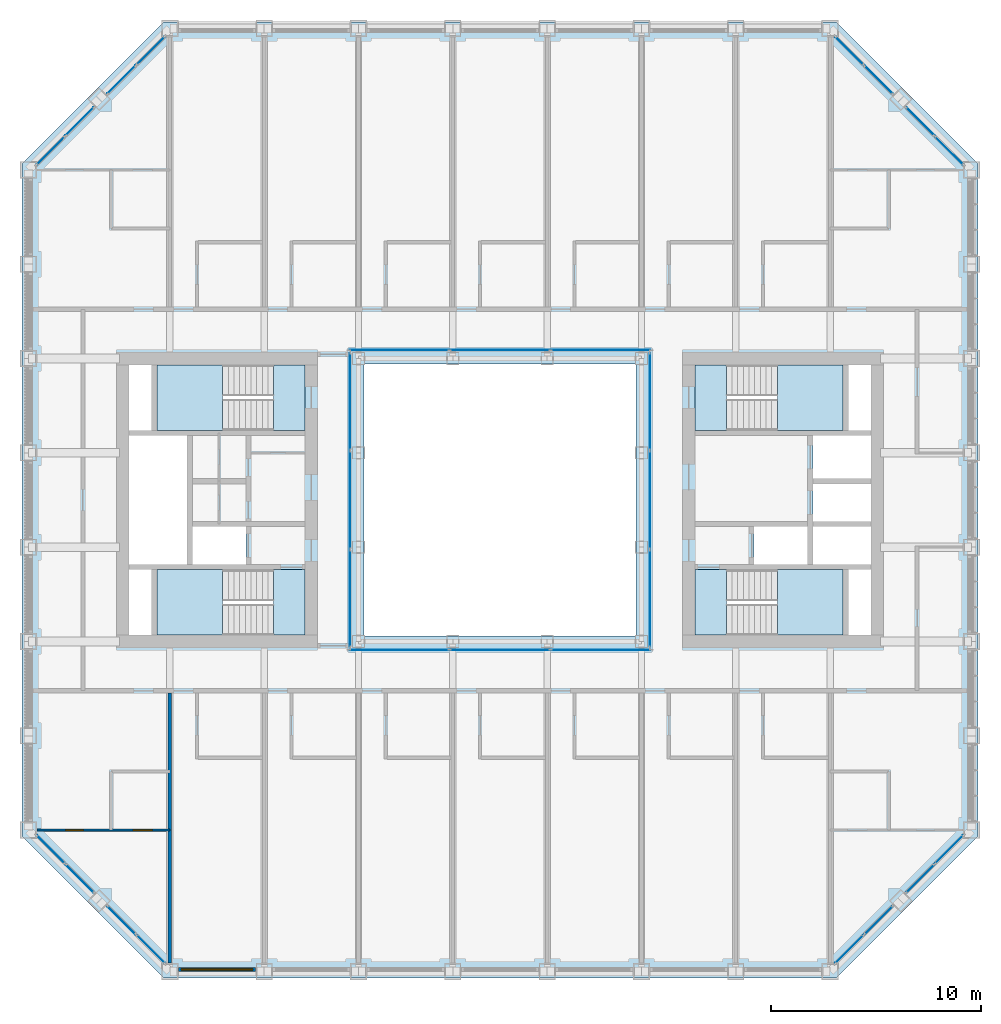
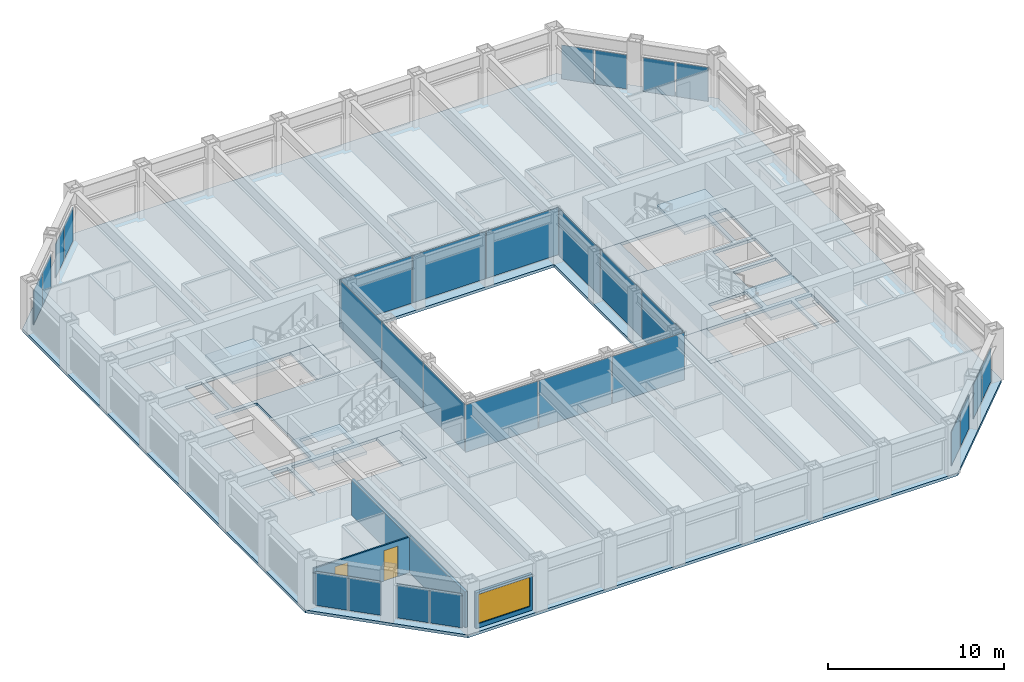
# One storey, part 9 of 18: 28 plates, 9 slabs, 3 walls, 2 doors, 1 window, 3 openings, 16 elements without a shape of their own.
"""IFC4 building model written with IfcOpenShell, lengths in metres."""

from ifc_helpers import new_model, si_unit, direction, frame, frame_2d, origin, origin_2d, place, context, subcontext, project, spatial, polyline, rectangle, outline, extrude, material, layer, layer_set, type_object, element, fill, aggregate, save


model = new_model("IFC4")

# Units and contexts
model_context = context("Model", 3, precision=1e-05, world=origin(), true_north=direction((0.0, 1.0)))
body_context = subcontext(model_context, "Body", "Model", "MODEL_VIEW")
ifc_project = project(units=[si_unit("LENGTHUNIT", "METRE"), si_unit("AREAUNIT", "SQUARE_METRE"), si_unit("VOLUMEUNIT", "CUBIC_METRE"), si_unit("PLANEANGLEUNIT", "RADIAN"), si_unit("MASSUNIT", "GRAM", prefix="KILO")], contexts=[model_context])

# Site, building, storey
site_placement = place(None, origin())
site = spatial("IfcSite", under=ifc_project, at=site_placement, CompositionType="ELEMENT")
building_placement = place(site_placement, origin())
building = spatial("IfcBuilding", under=site, at=building_placement, Name="Msasa Ring Tower", CompositionType="ELEMENT")
storey_placement = place(building_placement, frame((0.0, 0.0, 125.60009765625)))
storey = spatial("IfcBuildingStorey", under=building, at=storey_placement, Name="L32", CompositionType="ELEMENT", Elevation=125.60009765625)

# Curtain wall, plates
ifc_material_1 = material(Name="Aluminium curtain wall with clear glass", Category="aluminium")
curtain_wall_type_1 = type_object("IfcCurtainWallType", Name="CW-C CHAMFER CORNER CURTAIN WALL", PredefinedType="NOTDEFINED", material=ifc_material_1)
curtain_wall_1_placement = place(storey_placement, origin())
curtain_wall_1 = element("IfcCurtainWall", 1, at=curtain_wall_1_placement, inside=storey, type_object=curtain_wall_type_1, Name="Chamfer corner curtain wall SE L32", PredefinedType="NOTDEFINED")
ifc_material_2 = material(Name="Clear laminated insulating glass unit", Category="glass")
ifc_layer_1 = layer(ifc_material_2, 0.031982421875)
ifc_layer_set_1 = layer_set([ifc_layer_1], Name="CW-C GLASS PANEL 32")
plate_type_1 = type_object("IfcPlateType", Name="CW-C GLASS PANEL 32", PredefinedType="CURTAIN_PANEL", material=ifc_layer_set_1)
plate_1_placement = place(storey_placement, frame((16.677734375, -21.430908203125, 0.06494140625), z_axis=(0.0, 0.0, 1.0), x_axis=(0.707106781187, 0.707106781187, 0.0)))
plate_1 = element("IfcPlate", 2, at=plate_1_placement, type_object=plate_type_1, Name="CW-C panel 1.1", PredefinedType="CURTAIN_PANEL", context=body_context, shape_type="SweptSolid", body=[
    extrude(rectangle(XDim=1.884033203125, YDim=0.031982421875, at=origin_2d()), origin(), (0.0, 0.0, 1.0), 2.34912109375),
])
plate_2_placement = place(storey_placement, frame((18.055908203125, -20.052734375, 0.06494140625), z_axis=(0.0, 0.0, 1.0), x_axis=(0.707106781187, 0.707106781187, 0.0)))
plate_2 = element("IfcPlate", 3, at=plate_2_placement, type_object=plate_type_1, Name="CW-C panel 2.1", PredefinedType="CURTAIN_PANEL", context=body_context, shape_type="SweptSolid", body=[
    extrude(rectangle(XDim=1.884033203125, YDim=0.031982421875, at=origin_2d()), origin(), (0.0, 0.0, 1.0), 2.34912109375),
])
aggregate(curtain_wall_1, [plate_1, plate_2])

curtain_wall_2_placement = place(storey_placement, origin())
curtain_wall_2 = element("IfcCurtainWall", 4, at=curtain_wall_2_placement, inside=storey, type_object=curtain_wall_type_1, Name="Chamfer corner curtain wall SE L32", PredefinedType="NOTDEFINED")
plate_3_placement = place(storey_placement, frame((20.052734375, -18.055908203125, 0.06494140625), z_axis=(0.0, 0.0, 1.0), x_axis=(0.707106781187, 0.707106781187, 0.0)))
plate_3 = element("IfcPlate", 5, at=plate_3_placement, type_object=plate_type_1, Name="CW-C panel 1.1", PredefinedType="CURTAIN_PANEL", context=body_context, shape_type="SweptSolid", body=[
    extrude(rectangle(XDim=1.884033203125, YDim=0.031982421875, at=origin_2d()), origin(), (0.0, 0.0, 1.0), 2.34912109375),
])
plate_4_placement = place(storey_placement, frame((21.430908203125, -16.677734375, 0.06494140625), z_axis=(0.0, 0.0, 1.0), x_axis=(0.707106781187, 0.707106781187, 0.0)))
plate_4 = element("IfcPlate", 6, at=plate_4_placement, type_object=plate_type_1, Name="CW-C panel 2.1", PredefinedType="CURTAIN_PANEL", context=body_context, shape_type="SweptSolid", body=[
    extrude(rectangle(XDim=1.884033203125, YDim=0.031982421875, at=origin_2d()), origin(), (0.0, 0.0, 1.0), 2.34912109375),
])
aggregate(curtain_wall_2, [plate_3, plate_4])

curtain_wall_3_placement = place(storey_placement, origin())
curtain_wall_3 = element("IfcCurtainWall", 7, at=curtain_wall_3_placement, inside=storey, type_object=curtain_wall_type_1, Name="Chamfer corner curtain wall NE L32", PredefinedType="NOTDEFINED")
plate_5_placement = place(storey_placement, frame((18.055908203125, 20.052734375, 0.06494140625), z_axis=(0.0, 0.0, 1.0), x_axis=(-0.707106781187, 0.707106781187, 0.0)))
plate_5 = element("IfcPlate", 8, at=plate_5_placement, type_object=plate_type_1, Name="CW-C panel 1.1", PredefinedType="CURTAIN_PANEL", context=body_context, shape_type="SweptSolid", body=[
    extrude(rectangle(XDim=1.884033203125, YDim=0.031982421875, at=origin_2d()), origin(), (0.0, 0.0, 1.0), 2.34912109375),
])
plate_6_placement = place(storey_placement, frame((16.677734375, 21.430908203125, 0.06494140625), z_axis=(0.0, 0.0, 1.0), x_axis=(-0.707106781187, 0.707106781187, 0.0)))
plate_6 = element("IfcPlate", 9, at=plate_6_placement, type_object=plate_type_1, Name="CW-C panel 2.1", PredefinedType="CURTAIN_PANEL", context=body_context, shape_type="SweptSolid", body=[
    extrude(rectangle(XDim=1.884033203125, YDim=0.031982421875, at=origin_2d()), origin(), (0.0, 0.0, 1.0), 2.34912109375),
])
aggregate(curtain_wall_3, [plate_5, plate_6])

curtain_wall_4_placement = place(storey_placement, origin())
curtain_wall_4 = element("IfcCurtainWall", 10, at=curtain_wall_4_placement, inside=storey, type_object=curtain_wall_type_1, Name="Chamfer corner curtain wall NE L32", PredefinedType="NOTDEFINED")
plate_7_placement = place(storey_placement, frame((21.430908203125, 16.677734375, 0.06494140625), z_axis=(0.0, 0.0, 1.0), x_axis=(-0.707106781187, 0.707106781187, 0.0)))
plate_7 = element("IfcPlate", 11, at=plate_7_placement, type_object=plate_type_1, Name="CW-C panel 1.1", PredefinedType="CURTAIN_PANEL", context=body_context, shape_type="SweptSolid", body=[
    extrude(rectangle(XDim=1.884033203125, YDim=0.031982421875, at=origin_2d()), origin(), (0.0, 0.0, 1.0), 2.34912109375),
])
plate_8_placement = place(storey_placement, frame((20.052734375, 18.055908203125, 0.06494140625), z_axis=(0.0, 0.0, 1.0), x_axis=(-0.707106781187, 0.707106781187, 0.0)))
plate_8 = element("IfcPlate", 12, at=plate_8_placement, type_object=plate_type_1, Name="CW-C panel 2.1", PredefinedType="CURTAIN_PANEL", context=body_context, shape_type="SweptSolid", body=[
    extrude(rectangle(XDim=1.884033203125, YDim=0.031982421875, at=origin_2d()), origin(), (0.0, 0.0, 1.0), 2.34912109375),
])
aggregate(curtain_wall_4, [plate_7, plate_8])

curtain_wall_5_placement = place(storey_placement, origin())
curtain_wall_5 = element("IfcCurtainWall", 13, at=curtain_wall_5_placement, inside=storey, type_object=curtain_wall_type_1, Name="Chamfer corner curtain wall NW L32", PredefinedType="NOTDEFINED")
plate_9_placement = place(storey_placement, frame((-20.052734375, 18.055908203125, 0.06494140625), z_axis=(0.0, 0.0, 1.0), x_axis=(-0.707106781187, -0.707106781187, 0.0)))
plate_9 = element("IfcPlate", 14, at=plate_9_placement, type_object=plate_type_1, Name="CW-C panel 1.1", PredefinedType="CURTAIN_PANEL", context=body_context, shape_type="SweptSolid", body=[
    extrude(rectangle(XDim=1.884033203125, YDim=0.031982421875, at=origin_2d()), origin(), (0.0, 0.0, 1.0), 2.34912109375),
])
plate_10_placement = place(storey_placement, frame((-21.430908203125, 16.677734375, 0.06494140625), z_axis=(0.0, 0.0, 1.0), x_axis=(-0.707106781187, -0.707106781187, 0.0)))
plate_10 = element("IfcPlate", 15, at=plate_10_placement, type_object=plate_type_1, Name="CW-C panel 2.1", PredefinedType="CURTAIN_PANEL", context=body_context, shape_type="SweptSolid", body=[
    extrude(rectangle(XDim=1.884033203125, YDim=0.031982421875, at=origin_2d()), origin(), (0.0, 0.0, 1.0), 2.34912109375),
])
aggregate(curtain_wall_5, [plate_9, plate_10])

curtain_wall_6_placement = place(storey_placement, origin())
curtain_wall_6 = element("IfcCurtainWall", 16, at=curtain_wall_6_placement, inside=storey, type_object=curtain_wall_type_1, Name="Chamfer corner curtain wall NW L32", PredefinedType="NOTDEFINED")
plate_11_placement = place(storey_placement, frame((-16.677734375, 21.430908203125, 0.06494140625), z_axis=(0.0, 0.0, 1.0), x_axis=(-0.707106781187, -0.707106781187, 0.0)))
plate_11 = element("IfcPlate", 17, at=plate_11_placement, type_object=plate_type_1, Name="CW-C panel 1.1", PredefinedType="CURTAIN_PANEL", context=body_context, shape_type="SweptSolid", body=[
    extrude(rectangle(XDim=1.884033203125, YDim=0.031982421875, at=origin_2d()), origin(), (0.0, 0.0, 1.0), 2.34912109375),
])
plate_12_placement = place(storey_placement, frame((-18.055908203125, 20.052734375, 0.06494140625), z_axis=(0.0, 0.0, 1.0), x_axis=(-0.707106781187, -0.707106781187, 0.0)))
plate_12 = element("IfcPlate", 18, at=plate_12_placement, type_object=plate_type_1, Name="CW-C panel 2.1", PredefinedType="CURTAIN_PANEL", context=body_context, shape_type="SweptSolid", body=[
    extrude(rectangle(XDim=1.884033203125, YDim=0.031982421875, at=origin_2d()), origin(), (0.0, 0.0, 1.0), 2.34912109375),
])
aggregate(curtain_wall_6, [plate_11, plate_12])

curtain_wall_7_placement = place(storey_placement, origin())
curtain_wall_7 = element("IfcCurtainWall", 19, at=curtain_wall_7_placement, inside=storey, type_object=curtain_wall_type_1, Name="Chamfer corner curtain wall SW L32", PredefinedType="NOTDEFINED")
plate_13_placement = place(storey_placement, frame((-21.430908203125, -16.677734375, 0.06494140625), z_axis=(0.0, 0.0, 1.0), x_axis=(0.707106781187, -0.707106781187, 0.0)))
plate_13 = element("IfcPlate", 20, at=plate_13_placement, type_object=plate_type_1, Name="CW-C panel 1.1", PredefinedType="CURTAIN_PANEL", context=body_context, shape_type="SweptSolid", body=[
    extrude(rectangle(XDim=1.884033203125, YDim=0.031982421875, at=origin_2d()), origin(), (0.0, 0.0, 1.0), 2.34912109375),
])
plate_14_placement = place(storey_placement, frame((-20.052734375, -18.055908203125, 0.06494140625), z_axis=(0.0, 0.0, 1.0), x_axis=(0.707106781187, -0.707106781187, 0.0)))
plate_14 = element("IfcPlate", 21, at=plate_14_placement, type_object=plate_type_1, Name="CW-C panel 2.1", PredefinedType="CURTAIN_PANEL", context=body_context, shape_type="SweptSolid", body=[
    extrude(rectangle(XDim=1.884033203125, YDim=0.031982421875, at=origin_2d()), origin(), (0.0, 0.0, 1.0), 2.34912109375),
])
aggregate(curtain_wall_7, [plate_13, plate_14])

curtain_wall_8_placement = place(storey_placement, origin())
curtain_wall_8 = element("IfcCurtainWall", 22, at=curtain_wall_8_placement, inside=storey, type_object=curtain_wall_type_1, Name="Chamfer corner curtain wall SW L32", PredefinedType="NOTDEFINED")
plate_15_placement = place(storey_placement, frame((-18.055908203125, -20.052734375, 0.06494140625), z_axis=(0.0, 0.0, 1.0), x_axis=(0.707106781187, -0.707106781187, 0.0)))
plate_15 = element("IfcPlate", 23, at=plate_15_placement, type_object=plate_type_1, Name="CW-C panel 1.1", PredefinedType="CURTAIN_PANEL", context=body_context, shape_type="SweptSolid", body=[
    extrude(rectangle(XDim=1.884033203125, YDim=0.031982421875, at=origin_2d()), origin(), (0.0, 0.0, 1.0), 2.34912109375),
])
plate_16_placement = place(storey_placement, frame((-16.677734375, -21.430908203125, 0.06494140625), z_axis=(0.0, 0.0, 1.0), x_axis=(0.707106781187, -0.707106781187, 0.0)))
plate_16 = element("IfcPlate", 24, at=plate_16_placement, type_object=plate_type_1, Name="CW-C panel 2.1", PredefinedType="CURTAIN_PANEL", context=body_context, shape_type="SweptSolid", body=[
    extrude(rectangle(XDim=1.884033203125, YDim=0.031982421875, at=origin_2d()), origin(), (0.0, 0.0, 1.0), 2.34912109375),
])
aggregate(curtain_wall_8, [plate_15, plate_16])

ifc_material_3 = material(Name="Aluminium curtain wall with clear glass", Category="aluminium")
curtain_wall_type_2 = type_object("IfcCurtainWallType", Name="CW-W LIGHT WELL CURTAIN WALL", PredefinedType="NOTDEFINED", material=ifc_material_3)
curtain_wall_9_placement = place(storey_placement, origin())
curtain_wall_9 = element("IfcCurtainWall", 25, at=curtain_wall_9_placement, inside=storey, type_object=curtain_wall_type_2, Name="Light well curtain wall N L32", PredefinedType="NOTDEFINED")
ifc_material_4 = material(Name="Clear laminated insulating glass unit", Category="glass")
ifc_layer_2 = layer(ifc_material_4, 0.028076171875)
ifc_layer_set_2 = layer_set([ifc_layer_2], Name="CW-W GLASS PANEL 28")
plate_type_2 = type_object("IfcPlateType", Name="CW-W GLASS PANEL 28", PredefinedType="CURTAIN_PANEL", material=ifc_layer_set_2)
plate_17_placement = place(storey_placement, frame((-4.804931640625, 7.14990234375, 0.06005859375), z_axis=(0.0, 0.0, 1.0), x_axis=(1.0, 0.0, 0.0)))
plate_17 = element("IfcPlate", 26, at=plate_17_placement, type_object=plate_type_2, Name="CW-W panel 1.1", PredefinedType="CURTAIN_PANEL", context=body_context, shape_type="SweptSolid", body=[
    extrude(rectangle(XDim=4.72998046875, YDim=0.028076171875, at=origin_2d()), origin(), (0.0, 0.0, 1.0), 3.280029296875),
])
plate_18_placement = place(storey_placement, frame((0.0, 7.14990234375, 0.06005859375), z_axis=(0.0, 0.0, 1.0), x_axis=(1.0, 0.0, 0.0)))
plate_18 = element("IfcPlate", 27, at=plate_18_placement, type_object=plate_type_2, Name="CW-W panel 2.1", PredefinedType="CURTAIN_PANEL", context=body_context, shape_type="SweptSolid", body=[
    extrude(rectangle(XDim=4.760009765625, YDim=0.028076171875, at=origin_2d()), origin(), (0.0, 0.0, 1.0), 3.280029296875),
])
plate_19_placement = place(storey_placement, frame((4.804931640625, 7.14990234375, 0.06005859375), z_axis=(0.0, 0.0, 1.0), x_axis=(1.0, 0.0, 0.0)))
plate_19 = element("IfcPlate", 28, at=plate_19_placement, type_object=plate_type_2, Name="CW-W panel 3.1", PredefinedType="CURTAIN_PANEL", context=body_context, shape_type="SweptSolid", body=[
    extrude(rectangle(XDim=4.72998046875, YDim=0.028076171875, at=origin_2d()), origin(), (0.0, 0.0, 1.0), 3.280029296875),
])
aggregate(curtain_wall_9, [plate_17, plate_18, plate_19])

curtain_wall_10_placement = place(storey_placement, origin())
curtain_wall_10 = element("IfcCurtainWall", 29, at=curtain_wall_10_placement, inside=storey, type_object=curtain_wall_type_2, Name="Light well curtain wall S L32", PredefinedType="NOTDEFINED")
plate_20_placement = place(storey_placement, frame((-4.804931640625, -7.14990234375, 0.06005859375), z_axis=(0.0, 0.0, 1.0), x_axis=(1.0, 0.0, 0.0)))
plate_20 = element("IfcPlate", 30, at=plate_20_placement, type_object=plate_type_2, Name="CW-W panel 1.1", PredefinedType="CURTAIN_PANEL", context=body_context, shape_type="SweptSolid", body=[
    extrude(rectangle(XDim=4.72998046875, YDim=0.028076171875, at=origin_2d()), origin(), (0.0, 0.0, 1.0), 3.280029296875),
])
plate_21_placement = place(storey_placement, frame((0.0, -7.14990234375, 0.06005859375), z_axis=(0.0, 0.0, 1.0), x_axis=(1.0, 0.0, 0.0)))
plate_21 = element("IfcPlate", 31, at=plate_21_placement, type_object=plate_type_2, Name="CW-W panel 2.1", PredefinedType="CURTAIN_PANEL", context=body_context, shape_type="SweptSolid", body=[
    extrude(rectangle(XDim=4.760009765625, YDim=0.028076171875, at=origin_2d()), origin(), (0.0, 0.0, 1.0), 3.280029296875),
])
plate_22_placement = place(storey_placement, frame((4.804931640625, -7.14990234375, 0.06005859375), z_axis=(0.0, 0.0, 1.0), x_axis=(1.0, 0.0, 0.0)))
plate_22 = element("IfcPlate", 32, at=plate_22_placement, type_object=plate_type_2, Name="CW-W panel 3.1", PredefinedType="CURTAIN_PANEL", context=body_context, shape_type="SweptSolid", body=[
    extrude(rectangle(XDim=4.72998046875, YDim=0.028076171875, at=origin_2d()), origin(), (0.0, 0.0, 1.0), 3.280029296875),
])
aggregate(curtain_wall_10, [plate_20, plate_21, plate_22])

curtain_wall_11_placement = place(storey_placement, origin())
curtain_wall_11 = element("IfcCurtainWall", 33, at=curtain_wall_11_placement, inside=storey, type_object=curtain_wall_type_2, Name="Light well curtain wall E L32", PredefinedType="NOTDEFINED")
plate_23_placement = place(storey_placement, frame((7.14990234375, -4.6982421875, 0.06005859375), z_axis=(0.0, 0.0, 1.0), x_axis=(0.0, 1.0, 0.0)))
plate_23 = element("IfcPlate", 34, at=plate_23_placement, type_object=plate_type_2, Name="CW-W panel 1.1", PredefinedType="CURTAIN_PANEL", context=body_context, shape_type="SweptSolid", body=[
    extrude(rectangle(XDim=4.623291015625, YDim=0.028076171875, at=origin_2d()), origin(), (0.0, 0.0, 1.0), 3.280029296875),
])
plate_24_placement = place(storey_placement, frame((7.14990234375, 0.0, 0.06005859375), z_axis=(0.0, 0.0, 1.0), x_axis=(0.0, 1.0, 0.0)))
plate_24 = element("IfcPlate", 35, at=plate_24_placement, type_object=plate_type_2, Name="CW-W panel 2.1", PredefinedType="CURTAIN_PANEL", context=body_context, shape_type="SweptSolid", body=[
    extrude(rectangle(XDim=4.6533203125, YDim=0.028076171875, at=origin_2d()), origin(), (0.0, 0.0, 1.0), 3.280029296875),
])
plate_25_placement = place(storey_placement, frame((7.14990234375, 4.6982421875, 0.06005859375), z_axis=(0.0, 0.0, 1.0), x_axis=(0.0, 1.0, 0.0)))
plate_25 = element("IfcPlate", 36, at=plate_25_placement, type_object=plate_type_2, Name="CW-W panel 3.1", PredefinedType="CURTAIN_PANEL", context=body_context, shape_type="SweptSolid", body=[
    extrude(rectangle(XDim=4.623291015625, YDim=0.028076171875, at=origin_2d()), origin(), (0.0, 0.0, 1.0), 3.280029296875),
])
aggregate(curtain_wall_11, [plate_23, plate_24, plate_25])

curtain_wall_12_placement = place(storey_placement, origin())
curtain_wall_12 = element("IfcCurtainWall", 37, at=curtain_wall_12_placement, inside=storey, type_object=curtain_wall_type_2, Name="Light well curtain wall W L32", PredefinedType="NOTDEFINED")
plate_26_placement = place(storey_placement, frame((-7.14990234375, -4.6982421875, 0.06005859375), z_axis=(0.0, 0.0, 1.0), x_axis=(0.0, 1.0, 0.0)))
plate_26 = element("IfcPlate", 38, at=plate_26_placement, type_object=plate_type_2, Name="CW-W panel 1.1", PredefinedType="CURTAIN_PANEL", context=body_context, shape_type="SweptSolid", body=[
    extrude(rectangle(XDim=4.623291015625, YDim=0.028076171875, at=origin_2d()), origin(), (0.0, 0.0, 1.0), 3.280029296875),
])
plate_27_placement = place(storey_placement, frame((-7.14990234375, 0.0, 0.06005859375), z_axis=(0.0, 0.0, 1.0), x_axis=(0.0, 1.0, 0.0)))
plate_27 = element("IfcPlate", 39, at=plate_27_placement, type_object=plate_type_2, Name="CW-W panel 2.1", PredefinedType="CURTAIN_PANEL", context=body_context, shape_type="SweptSolid", body=[
    extrude(rectangle(XDim=4.6533203125, YDim=0.028076171875, at=origin_2d()), origin(), (0.0, 0.0, 1.0), 3.280029296875),
])
plate_28_placement = place(storey_placement, frame((-7.14990234375, 4.6982421875, 0.06005859375), z_axis=(0.0, 0.0, 1.0), x_axis=(0.0, 1.0, 0.0)))
plate_28 = element("IfcPlate", 40, at=plate_28_placement, type_object=plate_type_2, Name="CW-W panel 3.1", PredefinedType="CURTAIN_PANEL", context=body_context, shape_type="SweptSolid", body=[
    extrude(rectangle(XDim=4.623291015625, YDim=0.028076171875, at=origin_2d()), origin(), (0.0, 0.0, 1.0), 3.280029296875),
])
aggregate(curtain_wall_12, [plate_26, plate_27, plate_28])

# Stair, slabs
ifc_material_5 = material(Name="Concrete C40/50", Category="concrete")
stair_type = type_object("IfcStairType", Name="STC CORE STAIR 20 RISERS 180", PredefinedType="HALF_TURN_STAIR", material=ifc_material_5)
stair_1_placement = place(storey_placement, origin())
stair_1 = element("IfcStair", 41, at=stair_1_placement, inside=storey, type_object=stair_type, Name="Core stair SEA L32", PredefinedType="HALF_TURN_STAIR")
ifc_material_6 = material(Name="Concrete C40/50", Category="concrete")
ifc_layer_3 = layer(ifc_material_6, 0.199951171875)
ifc_layer_set_3 = layer_set([ifc_layer_3], Name="LD1 CORE STAIR LANDING 200")
slab_type_1 = type_object("IfcSlabType", Name="LD1 CORE STAIR LANDING 200", PredefinedType="LANDING", material=ifc_layer_set_3)
slab_1_placement = place(storey_placement, frame((0.0, 0.0, -0.2001953125)))
slab_1 = element("IfcSlab", 42, at=slab_1_placement, type_object=slab_type_1, Name="SEA landing 1", PredefinedType="LANDING", context=body_context, shape_type="SweptSolid", body=[
    extrude(outline(polyline([(9.300048828125, -6.449951171875), (10.800048828125, -6.449951171875), (10.800048828125, -3.324951171875), (9.300048828125, -3.324951171875), (9.300048828125, -6.449951171875)])), origin(), (0.0, 0.0, 1.0), 0.2001953125),
])
slab_2_placement = place(storey_placement, frame((0.0, 0.0, 1.599853515625)))
slab_2 = element("IfcSlab", 43, at=slab_2_placement, type_object=slab_type_1, Name="SEA landing 2", PredefinedType="LANDING", context=body_context, shape_type="SweptSolid", body=[
    extrude(outline(polyline([(13.22998046875, -6.449951171875), (16.375, -6.449951171875), (16.375, -3.324951171875), (13.22998046875, -3.324951171875), (13.22998046875, -6.449951171875)])), origin(), (0.0, 0.0, 1.0), 0.199951171875),
])
aggregate(stair_1, [slab_1, slab_2])

stair_2_placement = place(storey_placement, origin())
stair_2 = element("IfcStair", 44, at=stair_2_placement, inside=storey, type_object=stair_type, Name="Core stair SEB L32", PredefinedType="HALF_TURN_STAIR")
slab_3_placement = place(storey_placement, frame((0.0, 0.0, -0.2001953125)))
slab_3 = element("IfcSlab", 45, at=slab_3_placement, type_object=slab_type_1, Name="SEB landing 1", PredefinedType="LANDING", context=body_context, shape_type="SweptSolid", body=[
    extrude(outline(polyline([(9.300048828125, 3.324951171875), (10.800048828125, 3.324951171875), (10.800048828125, 6.449951171875), (9.300048828125, 6.449951171875), (9.300048828125, 3.324951171875)])), origin(), (0.0, 0.0, 1.0), 0.2001953125),
])
slab_4_placement = place(storey_placement, frame((0.0, 0.0, 1.599853515625)))
slab_4 = element("IfcSlab", 46, at=slab_4_placement, type_object=slab_type_1, Name="SEB landing 2", PredefinedType="LANDING", context=body_context, shape_type="SweptSolid", body=[
    extrude(outline(polyline([(13.22998046875, 3.324951171875), (16.375, 3.324951171875), (16.375, 6.449951171875), (13.22998046875, 6.449951171875), (13.22998046875, 3.324951171875)])), origin(), (0.0, 0.0, 1.0), 0.199951171875),
])
aggregate(stair_2, [slab_3, slab_4])

stair_3_placement = place(storey_placement, origin())
stair_3 = element("IfcStair", 47, at=stair_3_placement, inside=storey, type_object=stair_type, Name="Core stair SWA L32", PredefinedType="HALF_TURN_STAIR")
slab_5_placement = place(storey_placement, frame((0.0, 0.0, -0.2001953125)))
slab_5 = element("IfcSlab", 48, at=slab_5_placement, type_object=slab_type_1, Name="SWA landing 1", PredefinedType="LANDING", context=body_context, shape_type="SweptSolid", body=[
    extrude(outline(polyline([(-10.800048828125, -6.449951171875), (-9.300048828125, -6.449951171875), (-9.300048828125, -3.324951171875), (-10.800048828125, -3.324951171875), (-10.800048828125, -6.449951171875)])), origin(), (0.0, 0.0, 1.0), 0.2001953125),
])
slab_6_placement = place(storey_placement, frame((0.0, 0.0, 1.599853515625)))
slab_6 = element("IfcSlab", 49, at=slab_6_placement, type_object=slab_type_1, Name="SWA landing 2", PredefinedType="LANDING", context=body_context, shape_type="SweptSolid", body=[
    extrude(outline(polyline([(-16.375, -6.449951171875), (-13.22998046875, -6.449951171875), (-13.22998046875, -3.324951171875), (-16.375, -3.324951171875), (-16.375, -6.449951171875)])), origin(), (0.0, 0.0, 1.0), 0.199951171875),
])
aggregate(stair_3, [slab_5, slab_6])

stair_4_placement = place(storey_placement, origin())
stair_4 = element("IfcStair", 50, at=stair_4_placement, inside=storey, type_object=stair_type, Name="Core stair SWB L32", PredefinedType="HALF_TURN_STAIR")
slab_7_placement = place(storey_placement, frame((0.0, 0.0, -0.2001953125)))
slab_7 = element("IfcSlab", 51, at=slab_7_placement, type_object=slab_type_1, Name="SWB landing 1", PredefinedType="LANDING", context=body_context, shape_type="SweptSolid", body=[
    extrude(outline(polyline([(-10.800048828125, 3.324951171875), (-9.300048828125, 3.324951171875), (-9.300048828125, 6.449951171875), (-10.800048828125, 6.449951171875), (-10.800048828125, 3.324951171875)])), origin(), (0.0, 0.0, 1.0), 0.2001953125),
])
slab_8_placement = place(storey_placement, frame((0.0, 0.0, 1.599853515625)))
slab_8 = element("IfcSlab", 52, at=slab_8_placement, type_object=slab_type_1, Name="SWB landing 2", PredefinedType="LANDING", context=body_context, shape_type="SweptSolid", body=[
    extrude(outline(polyline([(-16.375, 3.324951171875), (-13.22998046875, 3.324951171875), (-13.22998046875, 6.449951171875), (-16.375, 6.449951171875), (-16.375, 3.324951171875)])), origin(), (0.0, 0.0, 1.0), 0.199951171875),
])
aggregate(stair_4, [slab_7, slab_8])

# Slab
ifc_material_7 = material(Name="Concrete C40/50", Category="concrete")
ifc_layer_4 = layer(ifc_material_7, 0.199951171875)
ifc_layer_set_4 = layer_set([ifc_layer_4], Name="S6 GUEST FLOOR 200")
slab_type_2 = type_object("IfcSlabType", Name="S6 GUEST FLOOR 200", PredefinedType="FLOOR", material=ifc_layer_set_4)
slab_9_placement = place(storey_placement, frame((0.0, 0.0, -0.2001953125)))
element("IfcSlab", 53, at=slab_9_placement, inside=storey, type_object=slab_type_2, Name="Floor slab L32", PredefinedType="FLOOR", context=body_context, shape_type="SweptSolid", body=[
    extrude(outline(polyline([(-16.050048828125, -22.800048828125), (16.050048828125, -22.800048828125), (22.800048828125, -16.050048828125), (22.800048828125, 16.050048828125), (16.050048828125, 22.800048828125), (-16.050048828125, 22.800048828125), (-22.800048828125, 16.050048828125), (-22.800048828125, -16.050048828125), (-16.050048828125, -22.800048828125)]), holes=[polyline([(-6.5, -6.5), (6.5, -6.5), (6.5, 6.5), (-6.5, 6.5), (-6.5, -6.5)]), polyline([(9.300048828125, -6.449951171875), (16.375, -6.449951171875), (16.375, -3.324951171875), (9.300048828125, -3.324951171875), (9.300048828125, -6.449951171875)]), polyline([(9.300048828125, 3.324951171875), (16.375, 3.324951171875), (16.375, 6.449951171875), (9.300048828125, 6.449951171875), (9.300048828125, 3.324951171875)]), polyline([(12.125, -3.074951171875), (14.675048828125, -3.074951171875), (14.675048828125, -1.27490234375), (12.125, -1.27490234375), (12.125, -3.074951171875)]), polyline([(16.625, -6.449951171875), (17.699951171875, -6.449951171875), (17.699951171875, -3.324951171875), (16.625, -3.324951171875), (16.625, -6.449951171875)]), polyline([(16.625, 3.324951171875), (17.699951171875, 3.324951171875), (17.699951171875, 6.449951171875), (16.625, 6.449951171875), (16.625, 3.324951171875)]), polyline([(14.925048828125, -3.074951171875), (17.699951171875, -3.074951171875), (17.699951171875, -1.27490234375), (14.925048828125, -1.27490234375), (14.925048828125, -3.074951171875)]), polyline([(14.925048828125, -1.02490234375), (17.699951171875, -1.02490234375), (17.699951171875, 0.77490234375), (14.925048828125, 0.77490234375), (14.925048828125, -1.02490234375)]), polyline([(14.925048828125, 1.02490234375), (17.699951171875, 1.02490234375), (17.699951171875, 3.074951171875), (14.925048828125, 3.074951171875), (14.925048828125, 1.02490234375)]), polyline([(-16.375, -6.449951171875), (-9.300048828125, -6.449951171875), (-9.300048828125, -3.324951171875), (-16.375, -3.324951171875), (-16.375, -6.449951171875)]), polyline([(-16.375, 3.324951171875), (-9.300048828125, 3.324951171875), (-9.300048828125, 6.449951171875), (-16.375, 6.449951171875), (-16.375, 3.324951171875)]), polyline([(-14.675048828125, -3.074951171875), (-12.125, -3.074951171875), (-12.125, -1.27490234375), (-14.675048828125, -1.27490234375), (-14.675048828125, -3.074951171875)]), polyline([(-17.699951171875, -6.449951171875), (-16.625, -6.449951171875), (-16.625, -3.324951171875), (-17.699951171875, -3.324951171875), (-17.699951171875, -6.449951171875)]), polyline([(-17.699951171875, 3.324951171875), (-16.625, 3.324951171875), (-16.625, 6.449951171875), (-17.699951171875, 6.449951171875), (-17.699951171875, 3.324951171875)]), polyline([(-17.699951171875, -3.074951171875), (-14.925048828125, -3.074951171875), (-14.925048828125, 3.074951171875), (-17.699951171875, 3.074951171875), (-17.699951171875, -3.074951171875)])]), origin(), (0.0, 0.0, 1.0), 0.2001953125),
])

# Wall, opening, window
ifc_material_8 = material(Name="Terracotta rainscreen on blockwork", Category="masonry")
ifc_layer_5 = layer(ifc_material_8, 0.199951171875)
ifc_layer_set_5 = layer_set([ifc_layer_5], Name="FW1 TERRACOTTA-LINED INFILL BAY WALL 200")
wall_type_1 = type_object("IfcWallType", Name="FW1 TERRACOTTA-LINED INFILL BAY WALL 200", PredefinedType="SOLIDWALL", material=ifc_layer_set_5)
wall_1_placement = place(storey_placement, frame((-15.344970703125, -22.39990234375, 0.0), z_axis=(0.0, 0.0, 1.0), x_axis=(1.0, 0.0, 0.0)))
wall_1 = element("IfcWall", 54, at=wall_1_placement, inside=storey, type_object=wall_type_1, Name="Infill bay wall S L32 00", PredefinedType="SOLIDWALL", context=body_context, shape_type="SweptSolid", body=[
    extrude(rectangle(XDim=3.68994140625, YDim=0.199951171875, at=frame_2d((1.844970703125, 0.0))), origin(), (0.0, 0.0, 1.0), 2.47900390625),
])
opening_1_placement = place(wall_1_placement, frame((0.14501953125, 0.0, 0.300048828125)))
opening_1 = element("IfcOpeningElement", 55, at=opening_1_placement, cuts=wall_1, Name="Opening WN2", PredefinedType="OPENING", context=body_context, shape_type="SweptSolid", body=[
    extrude(rectangle(XDim=3.39990234375, YDim=2.029052734375, at=frame_2d((1.699951171875, 1.0146484375))), frame((0.0, 0.10986328125, 0.0), z_axis=(0.0, -1.0, 0.0), x_axis=(1.0, 0.0, 0.0)), (0.0, 0.0, 1.0), 0.219970703125),
])
ifc_material_9 = material(Name="Aluminium frame with clear glass", Category="aluminium")
window_type = type_object("IfcWindowType", Name="WN2 GUEST ROOM WINDOW 3400x2029", PartitioningType="SINGLE_PANEL", PredefinedType="WINDOW", material=ifc_material_9)
window_placement = place(opening_1_placement, origin())
window = element("IfcWindow", 56, at=window_placement, inside=storey, type_object=window_type, Name="Window S L32 00", OverallHeight=2.029052734375, OverallWidth=3.39990234375, PartitioningType="SINGLE_PANEL", PredefinedType="WINDOW", context=body_context, shape_type="SweptSolid", body=[
    extrude(rectangle(XDim=3.39990234375, YDim=2.029052734375, at=frame_2d((1.699951171875, 1.0146484375))), frame((0.0, 0.030029296875, 0.0), z_axis=(0.0, -1.0, 0.0), x_axis=(1.0, 0.0, 0.0)), (0.0, 0.0, 1.0), 0.06005859375),
])
fill(opening_1, window)

# Wall, openings, doors
ifc_material_10 = material(Name="Gypsum board on steel studs", Category="steel")
ifc_layer_6 = layer(ifc_material_10, 0.10009765625)
ifc_layer_set_6 = layer_set([ifc_layer_6], Name="PT2 STUD PARTITION 100")
wall_type_2 = type_object("IfcWallType", Name="PT2 STUD PARTITION 100", PredefinedType="PARTITIONING", material=ifc_layer_set_6)
wall_2_placement = place(storey_placement, frame((-22.10009765625, -15.75, 0.0), z_axis=(0.0, 0.0, 1.0), x_axis=(1.0, 0.0, 0.0)))
wall_2 = element("IfcWall", 57, at=wall_2_placement, inside=storey, type_object=wall_type_2, Name="Partition L32-CSSWX", PredefinedType="PARTITIONING", context=body_context, shape_type="SweptSolid", body=[
    extrude(rectangle(XDim=6.35009765625, YDim=0.10009765625, at=frame_2d((3.175048828125, 0.0))), origin(), (0.0, 0.0, 1.0), 2.473388671875),
])
opening_2_placement = place(wall_2_placement, frame((1.375, 0.0, 0.0)))
opening_2 = element("IfcOpeningElement", 58, at=opening_2_placement, cuts=wall_2, Name="Opening HA-055", PredefinedType="OPENING", context=body_context, shape_type="SweptSolid", body=[
    extrude(rectangle(XDim=0.85009765625, YDim=2.10009765625, at=frame_2d((0.425048828125, 1.050048828125))), frame((0.0, 0.06005859375, 0.0), z_axis=(0.0, -1.0, 0.0), x_axis=(1.0, 0.0, 0.0)), (0.0, 0.0, 1.0), 0.1201171875),
])
opening_3_placement = place(wall_2_placement, frame((4.60009765625, 0.0, 0.0)))
opening_3 = element("IfcOpeningElement", 59, at=opening_3_placement, cuts=wall_2, Name="Opening HA-056", PredefinedType="OPENING", context=body_context, shape_type="SweptSolid", body=[
    extrude(rectangle(XDim=0.89990234375, YDim=2.10009765625, at=frame_2d((0.449951171875, 1.050048828125))), frame((0.0, 0.06005859375, 0.0), z_axis=(0.0, -1.0, 0.0), x_axis=(1.0, 0.0, 0.0)), (0.0, 0.0, 1.0), 0.1201171875),
])
ifc_material_11 = material(Name="Timber door leaf in a steel frame", Category="steel")
door_type_1 = type_object("IfcDoorType", Name="D14 BEDROOM DOOR 850x2100", OperationType="SINGLE_SWING_LEFT", PredefinedType="DOOR", material=ifc_material_11)
door_1_placement = place(opening_2_placement, origin())
door_1 = element("IfcDoor", 60, at=door_1_placement, inside=storey, type_object=door_type_1, Name="Door L32-CSSWR1", OperationType="SINGLE_SWING_LEFT", OverallHeight=2.10009765625, OverallWidth=0.85009765625, PredefinedType="DOOR", context=body_context, shape_type="SweptSolid", body=[
    extrude(rectangle(XDim=0.85009765625, YDim=2.10009765625, at=frame_2d((0.425048828125, 1.050048828125))), frame((0.0, 0.02490234375, 0.0), z_axis=(0.0, -1.0, 0.0), x_axis=(1.0, 0.0, 0.0)), (0.0, 0.0, 1.0), 0.050048828125),
])
fill(opening_2, door_1)
ifc_material_12 = material(Name="Timber door leaf in a steel frame", Category="steel")
door_type_2 = type_object("IfcDoorType", Name="D3 BATHROOM DOOR 900x2100", OperationType="SINGLE_SWING_LEFT", PredefinedType="DOOR", material=ifc_material_12)
door_2_placement = place(opening_3_placement, origin())
door_2 = element("IfcDoor", 61, at=door_2_placement, inside=storey, type_object=door_type_2, Name="Door L32-CSSWB1", OperationType="SINGLE_SWING_RIGHT", OverallHeight=2.10009765625, OverallWidth=0.89990234375, PredefinedType="DOOR", context=body_context, shape_type="SweptSolid", body=[
    extrude(rectangle(XDim=0.89990234375, YDim=2.10009765625, at=frame_2d((0.449951171875, 1.050048828125))), frame((0.0, 0.02490234375, 0.0), z_axis=(0.0, -1.0, 0.0), x_axis=(1.0, 0.0, 0.0)), (0.0, 0.0, 1.0), 0.050048828125),
])
fill(opening_3, door_2)

# Wall
ifc_material_13 = material(Name="Twin steel studs, two layers of acoustic board each face, mineral wool", Category="steel")
ifc_layer_7 = layer(ifc_material_13, 0.175048828125)
ifc_layer_set_7 = layer_set([ifc_layer_7], Name="PT5 GUEST ROOM SEPARATING WALL 175")
wall_type_3 = type_object("IfcWallType", Name="PT5 GUEST ROOM SEPARATING WALL 175", PredefinedType="PARTITIONING", material=ifc_layer_set_7)
wall_3_placement = place(storey_placement, frame((-15.75, -22.10009765625, 0.0), z_axis=(0.0, 0.0, 1.0), x_axis=(0.0, 1.0, 0.0)))
element("IfcWall", 62, at=wall_3_placement, inside=storey, type_object=wall_type_3, Name="Partition L32-PWS-15.75", PredefinedType="PARTITIONING", context=body_context, shape_type="SweptSolid", body=[
    extrude(rectangle(XDim=12.900146484375, YDim=0.175048828125, at=frame_2d((6.4501953125, 0.0))), origin(), (0.0, 0.0, 1.0), 2.473388671875),
])

save(model, "model.ifc")
